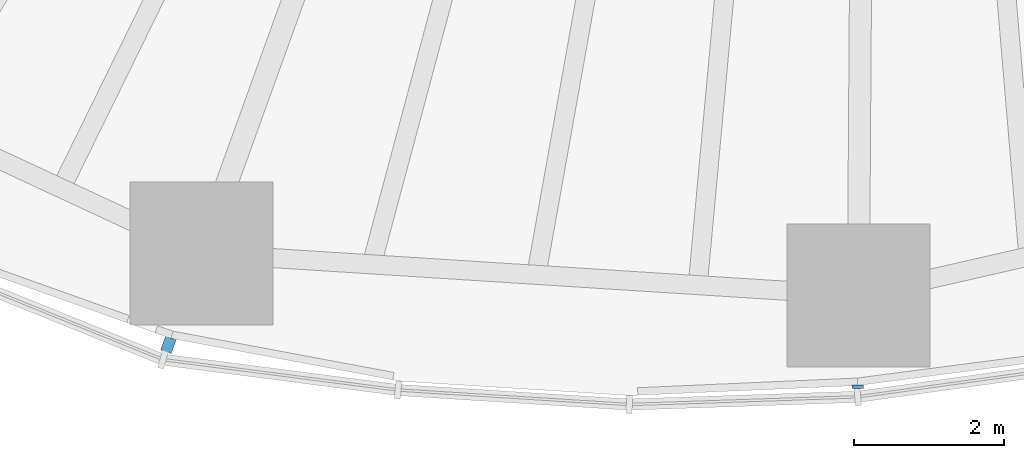
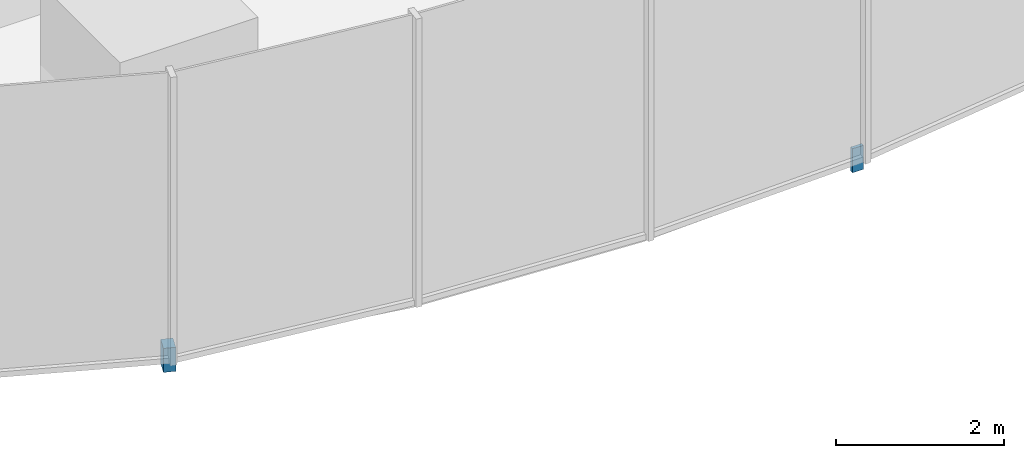
# One storey, part 12 of 20: 2 discrete accessories.
"""IFC4 building model written with IfcOpenShell, lengths in metres."""

import ifcopenshell
import ifcopenshell.guid

model = None  # the IFC model being written
_history = None  # IfcOwnerHistory: only IFC2X3 demands one
_inside = {}  # id of a spatial element -> (the spatial element, [elements in it])
_under = {}  # id of a project, library or spatial element -> (it, [spatial elements below it])
_declared = {}  # id of a project -> (the project, [libraries it declares])
_typed = {}  # id of a type object -> (the type object, [elements of that type])
_made_of = {}  # id of a material, layer set ... -> (it, [elements and type objects made of it])


def new_model(schema):
    """Start an empty IFC model of exactly this schema.

    Asked for "IFC4X3", IfcOpenShell would pick the latest addendum, in which some entities
    have other attributes; the version numbers below select the first issue.
    IFC2X3 requires an IfcOwnerHistory on every rooted entity: one is made here for all.
    """
    global model, _history
    if schema == "IFC4X3":
        model = ifcopenshell.file(schema_version=(4, 3, 0, 0))
    else:
        model = ifcopenshell.file(schema=schema)
    _inside.clear()
    _under.clear()
    _declared.clear()
    _typed.clear()
    _made_of.clear()
    _history = None
    if model.schema == "IFC2X3":
        org = make("IfcOrganization", Name="unknown")
        user = make(
            "IfcPersonAndOrganization",
            ThePerson=make("IfcPerson", FamilyName="unknown"),
            TheOrganization=org,
        )
        app = make(
            "IfcApplication",
            ApplicationDeveloper=org,
            Version="unknown",
            ApplicationFullName="unknown",
            ApplicationIdentifier="unknown",
        )
        _history = make(
            "IfcOwnerHistory",
            OwningUser=user,
            OwningApplication=app,
            ChangeAction="ADDED",
            CreationDate=0,
        )
    return model


def make(cls, **values):
    """One entity of the class cls with the attributes given. An attribute that is None is left unset."""
    return model.create_entity(
        cls, **{name: value for name, value in values.items() if value is not None}
    )


def rooted(cls, **values):
    """An entity with a GlobalId (a new one), such as an element, a storey or a relation."""
    return make(cls, GlobalId=ifcopenshell.guid.new(), OwnerHistory=_history, **values)


def si_unit(unit_type, name, prefix=None):
    """IfcSIUnit, for example si_unit("LENGTHUNIT", "METRE", prefix="MILLI")."""
    return make("IfcSIUnit", UnitType=unit_type, Prefix=prefix, Name=name)


def assignment(units):
    """IfcUnitAssignment: the units of a project."""
    return None if units is None else make("IfcUnitAssignment", Units=units)


def point(xyz):
    """IfcCartesianPoint."""
    return None if xyz is None else make("IfcCartesianPoint", Coordinates=xyz)


def direction(xyz):
    """IfcDirection."""
    return None if xyz is None else make("IfcDirection", DirectionRatios=xyz)


def frame(location, z_axis=None, x_axis=None):
    """IfcAxis2Placement3D, a coordinate frame: its origin and axes. An axis left out is left unset."""
    return make(
        "IfcAxis2Placement3D",
        Location=point(location),
        Axis=direction(z_axis),
        RefDirection=direction(x_axis),
    )


def frame_2d(location, x_axis=None):
    """IfcAxis2Placement2D, a coordinate frame in the plane: its origin and x axis."""
    return make(
        "IfcAxis2Placement2D", Location=point(location), RefDirection=direction(x_axis)
    )


def origin():
    """The frame at (0, 0, 0) with its axes left unset."""
    return frame((0.0, 0.0, 0.0))


def origin_2d():
    """The frame at (0, 0) in the plane with its x axis left unset."""
    return frame_2d((0.0, 0.0))


def place(relative_to, where):
    """IfcLocalPlacement: puts the frame where relative to a parent placement (None: the world)."""
    return make(
        "IfcLocalPlacement", PlacementRelTo=relative_to, RelativePlacement=where
    )


def context(
    kind, dimensions, precision=None, world=None, true_north=None, identifier=None
):
    """IfcGeometricRepresentationContext, for example the 3D "Model" context."""
    return make(
        "IfcGeometricRepresentationContext",
        ContextIdentifier=identifier,
        ContextType=kind,
        CoordinateSpaceDimension=dimensions,
        Precision=precision,
        WorldCoordinateSystem=world,
        TrueNorth=true_north,
    )


def subcontext(parent, identifier, kind, view, scale=None):
    """IfcGeometricRepresentationSubContext, for example "Body" below "Model"."""
    return make(
        "IfcGeometricRepresentationSubContext",
        ContextIdentifier=identifier,
        ContextType=kind,
        ParentContext=parent,
        TargetScale=scale,
        TargetView=view,
    )


def project(units=None, contexts=None):
    """IfcProject with its units and contexts."""
    return rooted(
        "IfcProject",
        Name="project",
        RepresentationContexts=contexts,
        UnitsInContext=assignment(units),
    )


def spatial(cls, under=None, at=None, **own):
    """A site, building, storey or space (cls), placed at a placement, below another one or the project."""
    s = rooted(cls, ObjectPlacement=at, **own)
    if under is not None:
        _under.setdefault(under.id(), (under, []))[1].append(s)
    return s


def profile(cls, at=None, kind="AREA", **sizes):
    """A parametric profile (cls). Its sizes go by their IFC names, for example OverallWidth=200.0."""
    return make(cls, ProfileType=kind, Position=at, **sizes)


def rectangle(**sizes):
    """IfcRectangleProfileDef."""
    return profile("IfcRectangleProfileDef", **sizes)


def extrude(swept, where, along, depth):
    """IfcExtrudedAreaSolid: the profile swept, set in the frame where, extruded along a direction by depth."""
    return make(
        "IfcExtrudedAreaSolid",
        SweptArea=swept,
        Position=where,
        ExtrudedDirection=direction(along),
        Depth=depth,
    )


def shape(context_of_items, identifier, shape_type, items):
    """IfcShapeRepresentation: the items that make up one representation, for example the "Body"."""
    return make(
        "IfcShapeRepresentation",
        ContextOfItems=context_of_items,
        RepresentationIdentifier=identifier,
        RepresentationType=shape_type,
        Items=items,
    )


def material(Name=None, Category=None):
    """IfcMaterial."""
    return make("IfcMaterial", Name=Name, Category=Category)


def made_of(thing, what):
    """Note that an element or type object is made of a material, layer set ...; save() writes the relation."""
    if what is not None:
        _made_of.setdefault(what.id(), (what, []))[1].append(thing)
    return thing


def type_object(cls, material=None, **own):
    """A type object (cls), such as IfcWallType, which elements share."""
    return made_of(rooted(cls, **own), material)


def element(
    cls,
    number,
    at=None,
    inside=None,
    cuts=None,
    type_object=None,
    material=None,
    context=None,
    identifier="Body",
    shape_type=None,
    held_by="IfcProductDefinitionShape",
    body=None,
    shapes=None,
    **own,
):
    """One element of the class cls, such as IfcWall. Its Tag is "e" and its number.

    at: its placement. inside: the storey or other place that contains it. cuts: it is an
    opening in that element (IfcRelVoidsElement). A single representation is given by context,
    identifier, shape_type and body (its items); several are given by shapes. held_by: the class
    of the entity that holds the representations. save() writes the other relations.
    """
    e = rooted(cls, Tag="e%d" % number, ObjectPlacement=at, **own)
    if body is not None:
        shapes = [shape(context, identifier, shape_type, body)]
    if shapes is not None:
        e.Representation = make(held_by, Representations=shapes)
    if inside is not None:
        _inside.setdefault(inside.id(), (inside, []))[1].append(e)
    if cuts is not None:
        rooted(
            "IfcRelVoidsElement", RelatingBuildingElement=cuts, RelatedOpeningElement=e
        )
    if type_object is not None:
        _typed.setdefault(type_object.id(), (type_object, []))[1].append(e)
    return made_of(e, material)


def aggregate(whole, parts):
    """IfcRelAggregates: a whole, such as a stair, and the parts it consists of."""
    return rooted("IfcRelAggregates", RelatingObject=whole, RelatedObjects=parts)


def save(model, path):
    """Write the relations noted so far, then the file.

    IfcRelAggregates (storeys below a building ...), IfcRelContainedInSpatialStructure (elements
    in a storey), IfcRelDefinesByType, IfcRelAssociatesMaterial and IfcRelDeclares: one each for
    every whole, place, type object, material and project.
    """
    for whole, parts in _under.values():
        aggregate(whole, parts)
    for where, things in _inside.values():
        rooted(
            "IfcRelContainedInSpatialStructure",
            RelatedElements=things,
            RelatingStructure=where,
        )
    for kind, things in _typed.values():
        rooted("IfcRelDefinesByType", RelatedObjects=things, RelatingType=kind)
    for what, things in _made_of.values():
        rooted("IfcRelAssociatesMaterial", RelatedObjects=things, RelatingMaterial=what)
    for by, libraries in _declared.values():
        rooted("IfcRelDeclares", RelatingContext=by, RelatedDefinitions=libraries)
    model.write(path)


model = new_model("IFC4")

# Units and contexts
model_context = context("Model", 3, precision=1e-05, world=origin(), true_north=direction((0.0, 1.0)))
body_context = subcontext(model_context, "Body", "Model", "MODEL_VIEW")
ifc_project = project(units=[si_unit("LENGTHUNIT", "METRE"), si_unit("AREAUNIT", "SQUARE_METRE"), si_unit("VOLUMEUNIT", "CUBIC_METRE"), si_unit("PLANEANGLEUNIT", "RADIAN"), si_unit("MASSUNIT", "GRAM", prefix="KILO")], contexts=[model_context])

# Site, building, storey
site_placement = place(None, origin())
site = spatial("IfcSite", under=ifc_project, at=site_placement, CompositionType="ELEMENT")
building_placement = place(site_placement, origin())
building = spatial("IfcBuilding", under=site, at=building_placement, Name="Ghaith Harvest Tower", CompositionType="ELEMENT")
storey_placement = place(building_placement, frame((0.0, 0.0, 109.199951171875)))
storey = spatial("IfcBuildingStorey", under=building, at=storey_placement, Name="L22", CompositionType="ELEMENT", Elevation=109.199951171875)

# Discrete accessories
ifc_material_1 = material(Name="Stainless steel grade 1.4401", Category="steel")
discrete_accessory_type_1 = type_object("IfcDiscreteAccessoryType", Name="CURTAIN WALL BRACKET 195", PredefinedType="BRACKET", material=ifc_material_1)
discrete_accessory_1_placement = place(storey_placement, frame((-9.348388671875, -25.883544921875, -0.25), z_axis=(0.0, 0.0, 1.0), x_axis=(-0.33969945263, -0.940534040789, 0.0)))
element("IfcDiscreteAccessory", 1, at=discrete_accessory_1_placement, inside=storey, type_object=discrete_accessory_type_1, Name="CW-L bracket 1 bay 15 L22", PredefinedType="BRACKET", context=body_context, shape_type="SweptSolid", body=[
    extrude(rectangle(XDim=0.195068359375, YDim=0.14990234375, at=origin_2d()), origin(), (0.0, 0.0, 1.0), 0.35009765625),
])
ifc_material_2 = material(Name="Stainless steel grade 1.4401", Category="steel")
discrete_accessory_type_2 = type_object("IfcDiscreteAccessoryType", Name="CURTAIN WALL BRACKET 45", PredefinedType="BRACKET", material=ifc_material_2)
discrete_accessory_2_placement = place(storey_placement, frame((-0.180908203125, -26.441162109375, -0.25), z_axis=(0.0, 0.0, 1.0), x_axis=(-0.006843747957, -0.999976581283, 0.0)))
element("IfcDiscreteAccessory", 2, at=discrete_accessory_2_placement, inside=storey, type_object=discrete_accessory_type_2, Name="CW-L bracket 1 bay 16 L22", PredefinedType="BRACKET", context=body_context, shape_type="SweptSolid", body=[
    extrude(rectangle(XDim=0.044921875, YDim=0.14990234375, at=origin_2d()), origin(), (0.0, 0.0, 1.0), 0.35009765625),
])

save(model, "model.ifc")
